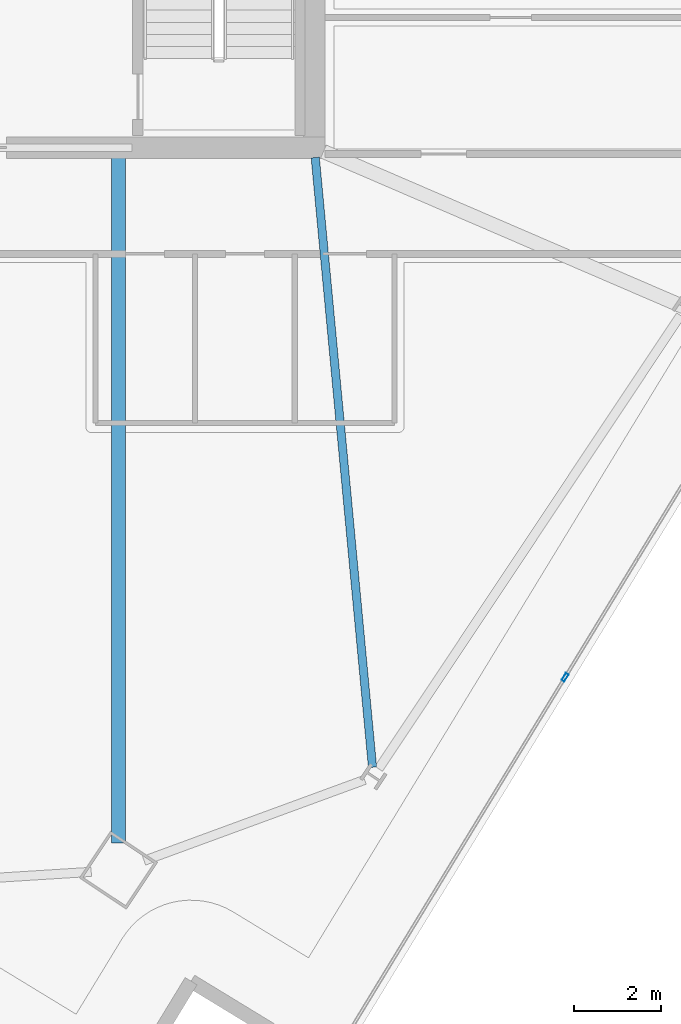
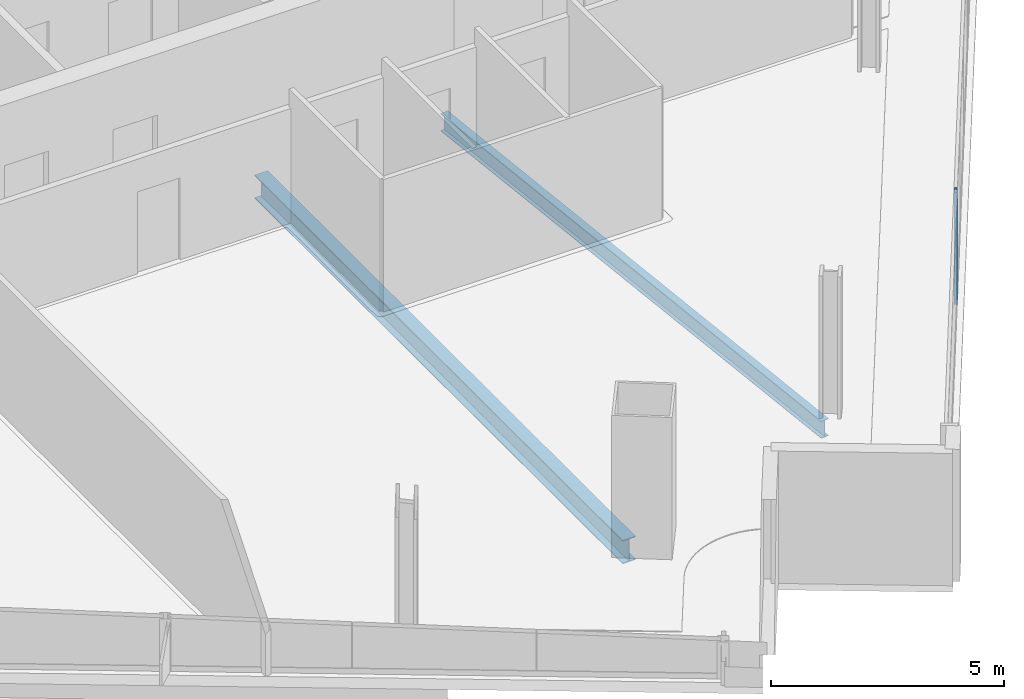
# One storey, part 9 of 28: 2 beams, 1 member, 1 element without a shape of its own.
"""IFC4 building model written with IfcOpenShell, lengths in metres."""

from ifc_helpers import new_model, si_unit, direction, frame, origin, origin_2d, place, context, subcontext, project, spatial, hollow_rectangle, i_section, extrude, material, material_profile, profile_set, type_object, element, aggregate, save


model = new_model("IFC4")

# Units and contexts
model_context = context("Model", 3, precision=1e-05, world=origin(), true_north=direction((0.0, 1.0)))
body_context = subcontext(model_context, "Body", "Model", "MODEL_VIEW")
ifc_project = project(units=[si_unit("LENGTHUNIT", "METRE"), si_unit("AREAUNIT", "SQUARE_METRE"), si_unit("VOLUMEUNIT", "CUBIC_METRE"), si_unit("PLANEANGLEUNIT", "RADIAN"), si_unit("MASSUNIT", "GRAM", prefix="KILO")], contexts=[model_context])

# Site, building, storey
site_placement = place(None, origin())
site = spatial("IfcSite", under=ifc_project, at=site_placement, CompositionType="ELEMENT")
building_placement = place(site_placement, origin())
building = spatial("IfcBuilding", under=site, at=building_placement, Name="Haldenkirk Collegiate Tower", CompositionType="ELEMENT")
storey_placement = place(building_placement, frame((0.0, 0.0, 224.699951171875)))
storey = spatial("IfcBuildingStorey", under=building, at=storey_placement, Name="L56", CompositionType="ELEMENT", Elevation=224.699951171875)

# Beams
ifc_material_1 = material(Name="Steel ASTM A992 Grade 50", Category="steel")
ifc_material_profile_1 = material_profile(ifc_material_1, i_section(OverallWidth=0.324951171875, OverallDepth=0.615966796875, WebThickness=0.013916015625, FlangeThickness=0.021484375, at=origin_2d()), Name="W24X117")
ifc_profile_set_1 = profile_set([ifc_material_profile_1], Name="Steel ASTM A992 Grade 50")
beam_type_1 = type_object("IfcBeamType", Name="BM-GIRDER-W24X117", PredefinedType="BEAM", material=ifc_profile_set_1)
beam_1_placement = place(storey_placement, frame((40.482666015625, 1.962890625, -0.587890625), z_axis=(0.0, 1.0, 0.0), x_axis=(-1.0, 0.0, 0.0)))
element("IfcBeam", 1, at=beam_1_placement, inside=storey, type_object=beam_type_1, Name="L56 primary floor girder 01", PredefinedType="BEAM", context=body_context, shape_type="SweptSolid", body=[
    extrude(i_section(OverallWidth=0.324951171875, OverallDepth=0.615966796875, WebThickness=0.013916015625, FlangeThickness=0.021484375, at=origin_2d()), origin(), (0.0, 0.0, 1.0), 15.80712890625),
])
ifc_material_profile_2 = material_profile(ifc_material_1, i_section(OverallWidth=0.18994140625, OverallDepth=0.45703125, WebThickness=0.009033203125, FlangeThickness=0.014404296875, at=origin_2d()), Name="W18X50")
ifc_profile_set_2 = profile_set([ifc_material_profile_2], Name="Steel ASTM A992 Grade 50")
beam_type_2 = type_object("IfcBeamType", Name="BM-JOIST-W18X50", PredefinedType="JOIST", material=ifc_profile_set_2)
beam_2_placement = place(storey_placement, frame((46.3427734375, 3.705810546875, -0.508544921875), z_axis=(-0.093528614258, 0.995616592025, 0.0), x_axis=(-0.995616592025, -0.093528614258, 0.0)))
element("IfcBeam", 2, at=beam_2_placement, inside=storey, type_object=beam_type_2, Name="L56 composite floor joist 05", PredefinedType="JOIST", context=body_context, shape_type="SweptSolid", body=[
    extrude(i_section(OverallWidth=0.18994140625, OverallDepth=0.45703125, WebThickness=0.009033203125, FlangeThickness=0.014404296875, at=origin_2d()), origin(), (0.0, 0.0, 1.0), 14.127197265625),
])

# Curtain wall, member
ifc_material_2 = material(Name="Anodised architectural bronze aluminium", Category="aluminium")
curtain_wall_type = type_object("IfcCurtainWallType", Name="CW-SYS2-CONCAVE", PredefinedType="USERDEFINED", material=ifc_material_2)
curtain_wall_placement = place(storey_placement, origin())
curtain_wall = element("IfcCurtainWall", 3, at=curtain_wall_placement, inside=storey, type_object=curtain_wall_type, Name="L56 South concave recessed bronze-anodised curtain wall", ObjectType="UNITISED CURTAIN WALL", PredefinedType="USERDEFINED")
ifc_material_profile_3 = material_profile(ifc_material_2, hollow_rectangle(XDim=0.074951171875, YDim=0.18994140625, WallThickness=0.0048828125, at=origin_2d()), Name="CW-MUL-02")
ifc_profile_set_3 = profile_set([ifc_material_profile_3], Name="Anodised architectural bronze aluminium")
member_type = type_object("IfcMemberType", Name="CW-MUL-02", PredefinedType="MULLION", material=ifc_profile_set_3)
member_placement = place(storey_placement, frame((50.784423828125, 5.78125, 0.0), z_axis=(0.0, 0.0, 1.0), x_axis=(0.854004384454, -0.520265808345, 0.0)))
member = element("IfcMember", 4, at=member_placement, type_object=member_type, Name="CW-02 mullion 4", PredefinedType="MULLION", context=body_context, shape_type="SweptSolid", body=[
    extrude(hollow_rectangle(XDim=0.074951171875, YDim=0.18994140625, WallThickness=0.0048828125, at=origin_2d()), origin(), (0.0, 0.0, 1.0), 2.927978515625),
])
aggregate(curtain_wall, [member])

save(model, "model.ifc")
